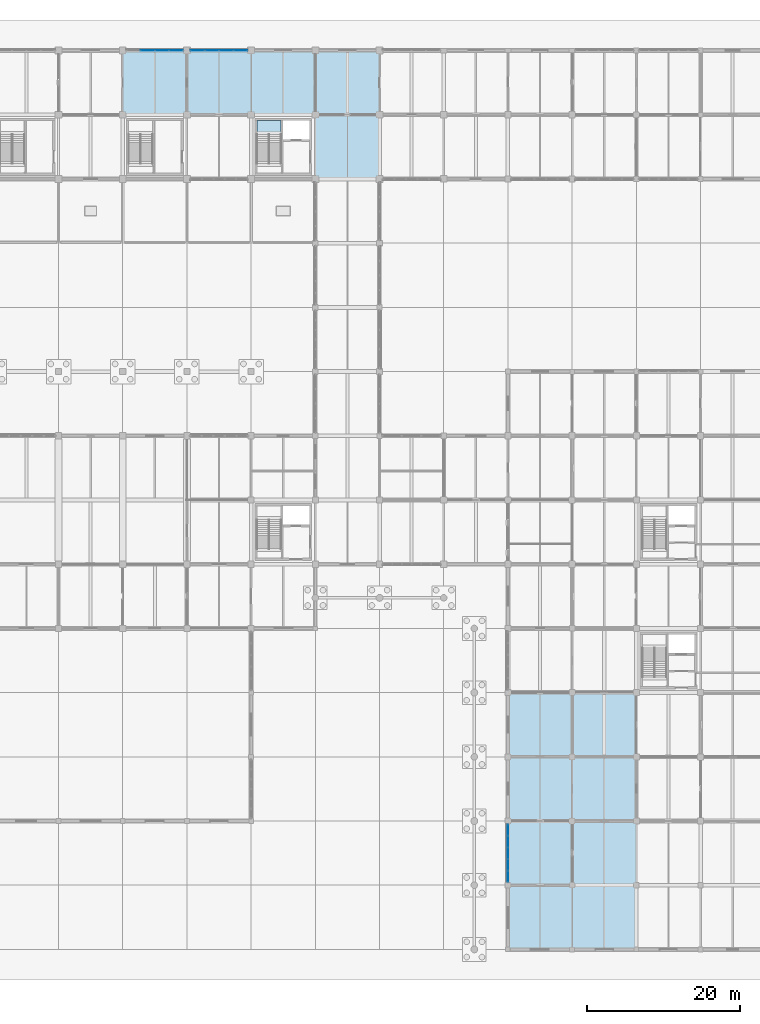
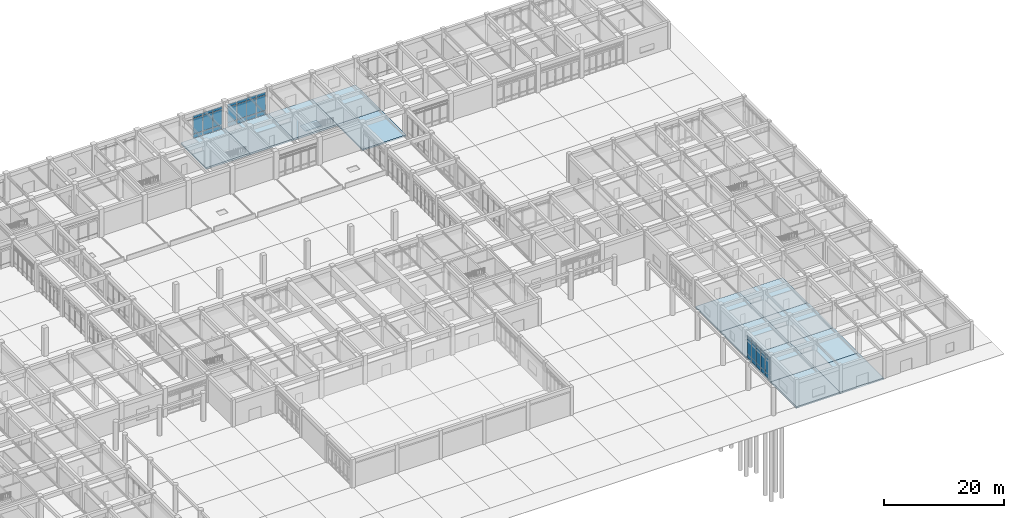
# One storey, part 59 of 91: 36 plates, 14 slabs, 4 elements without a shape of their own.
"""IFC4 building model written with IfcOpenShell, lengths in metres."""

from ifc_helpers import new_model, si_unit, direction, frame, origin, origin_2d, place, context, subcontext, project, spatial, polyline, rectangle, outline, extrude, material, layer, layer_set, type_object, element, aggregate, save


model = new_model("IFC4")

# Units and contexts
model_context = context("Model", 3, precision=1e-05, world=origin(), true_north=direction((0.0, 1.0)))
body_context = subcontext(model_context, "Body", "Model", "MODEL_VIEW")
ifc_project = project(units=[si_unit("LENGTHUNIT", "METRE"), si_unit("AREAUNIT", "SQUARE_METRE"), si_unit("VOLUMEUNIT", "CUBIC_METRE"), si_unit("PLANEANGLEUNIT", "RADIAN"), si_unit("MASSUNIT", "GRAM", prefix="KILO")], contexts=[model_context])

# Site, building, storey
site_placement = place(None, origin())
site = spatial("IfcSite", under=ifc_project, at=site_placement, CompositionType="ELEMENT")
building_placement = place(site_placement, origin())
building = spatial("IfcBuilding", under=site, at=building_placement, Name="Porcellanite Civic Hall", CompositionType="ELEMENT")
storey_placement = place(building_placement, origin())
storey = spatial("IfcBuildingStorey", under=building, at=storey_placement, Name="L00", CompositionType="ELEMENT", Elevation=0.0)

# Curtain wall, plates
ifc_material_1 = material(Name="Anodised aluminium and solar laminated glass", Category="aluminium")
ifc_layer_1 = layer(ifc_material_1, 0.179931640625)
ifc_layer_set_1 = layer_set([ifc_layer_1], Name="Anodised aluminium and solar laminated glass")
curtain_wall_type_1 = type_object("IfcCurtainWallType", Name="CW-SYS04", PredefinedType="NOTDEFINED", material=ifc_layer_set_1)
curtain_wall_1_placement = place(storey_placement, origin())
curtain_wall_1 = element("IfcCurtainWall", 1, at=curtain_wall_1_placement, inside=storey, type_object=curtain_wall_type_1, Name="Curtain wall CW-031", PredefinedType="NOTDEFINED")
ifc_material_2 = material(Name="Cyclone laminated solar-control low-E glass", Category="glass")
ifc_layer_2 = layer(ifc_material_2, 0.02587890625)
ifc_layer_set_2 = layer_set([ifc_layer_2], Name="Cyclone laminated solar-control low-E glass")
plate_type_1 = type_object("IfcPlateType", Name="CWP-02", PredefinedType="CURTAIN_PANEL", material=ifc_layer_set_2)
plate_1_placement = place(storey_placement, frame((95.662841796875, 117.60009765625, 0.05517578125), z_axis=(0.0, 0.0, 1.0), x_axis=(1.0, 0.0, 0.0)))
plate_1 = element("IfcPlate", 2, at=plate_1_placement, type_object=plate_type_1, Name="CW-031 panel 2.1", PredefinedType="CURTAIN_PANEL", context=body_context, shape_type="SweptSolid", body=[
    extrude(rectangle(XDim=1.799560546875, YDim=0.02587890625, at=origin_2d()), origin(), (0.0, 0.0, 1.0), 0.8173828125),
])
plate_2_placement = place(storey_placement, frame((95.662841796875, 117.60009765625, 0.927734375), z_axis=(0.0, 0.0, 1.0), x_axis=(1.0, 0.0, 0.0)))
plate_2 = element("IfcPlate", 3, at=plate_2_placement, type_object=plate_type_1, Name="CW-031 panel 2.2", PredefinedType="CURTAIN_PANEL", context=body_context, shape_type="SweptSolid", body=[
    extrude(rectangle(XDim=1.799560546875, YDim=0.02587890625, at=origin_2d()), origin(), (0.0, 0.0, 1.0), 3.094970703125),
])
plate_3_placement = place(storey_placement, frame((95.662841796875, 117.60009765625, 4.07763671875), z_axis=(0.0, 0.0, 1.0), x_axis=(1.0, 0.0, 0.0)))
plate_3 = element("IfcPlate", 4, at=plate_3_placement, type_object=plate_type_1, Name="CW-031 panel 2.3", PredefinedType="CURTAIN_PANEL", context=body_context, shape_type="SweptSolid", body=[
    extrude(rectangle(XDim=1.799560546875, YDim=0.02587890625, at=origin_2d()), origin(), (0.0, 0.0, 1.0), 0.5673828125),
])
plate_4_placement = place(storey_placement, frame((97.537353515625, 117.60009765625, 0.05517578125), z_axis=(0.0, 0.0, 1.0), x_axis=(1.0, 0.0, 0.0)))
plate_4 = element("IfcPlate", 5, at=plate_4_placement, type_object=plate_type_1, Name="CW-031 panel 3.1", PredefinedType="CURTAIN_PANEL", context=body_context, shape_type="SweptSolid", body=[
    extrude(rectangle(XDim=1.799560546875, YDim=0.02587890625, at=origin_2d()), origin(), (0.0, 0.0, 1.0), 0.8173828125),
])
plate_5_placement = place(storey_placement, frame((97.537353515625, 117.60009765625, 0.927734375), z_axis=(0.0, 0.0, 1.0), x_axis=(1.0, 0.0, 0.0)))
plate_5 = element("IfcPlate", 6, at=plate_5_placement, type_object=plate_type_1, Name="CW-031 panel 3.2", PredefinedType="CURTAIN_PANEL", context=body_context, shape_type="SweptSolid", body=[
    extrude(rectangle(XDim=1.799560546875, YDim=0.02587890625, at=origin_2d()), origin(), (0.0, 0.0, 1.0), 3.094970703125),
])
plate_6_placement = place(storey_placement, frame((97.537353515625, 117.60009765625, 4.07763671875), z_axis=(0.0, 0.0, 1.0), x_axis=(1.0, 0.0, 0.0)))
plate_6 = element("IfcPlate", 7, at=plate_6_placement, type_object=plate_type_1, Name="CW-031 panel 3.3", PredefinedType="CURTAIN_PANEL", context=body_context, shape_type="SweptSolid", body=[
    extrude(rectangle(XDim=1.799560546875, YDim=0.02587890625, at=origin_2d()), origin(), (0.0, 0.0, 1.0), 0.5673828125),
])
plate_7_placement = place(storey_placement, frame((99.39306640625, 117.60009765625, 0.05517578125), z_axis=(0.0, 0.0, 1.0), x_axis=(1.0, 0.0, 0.0)))
plate_7 = element("IfcPlate", 8, at=plate_7_placement, type_object=plate_type_1, Name="CW-031 panel 4.1", PredefinedType="CURTAIN_PANEL", context=body_context, shape_type="SweptSolid", body=[
    extrude(rectangle(XDim=1.761962890625, YDim=0.02587890625, at=origin_2d()), origin(), (0.0, 0.0, 1.0), 0.8173828125),
])
plate_8_placement = place(storey_placement, frame((99.39306640625, 117.60009765625, 0.927734375), z_axis=(0.0, 0.0, 1.0), x_axis=(1.0, 0.0, 0.0)))
plate_8 = element("IfcPlate", 9, at=plate_8_placement, type_object=plate_type_1, Name="CW-031 panel 4.2", PredefinedType="CURTAIN_PANEL", context=body_context, shape_type="SweptSolid", body=[
    extrude(rectangle(XDim=1.761962890625, YDim=0.02587890625, at=origin_2d()), origin(), (0.0, 0.0, 1.0), 3.094970703125),
])
plate_9_placement = place(storey_placement, frame((99.39306640625, 117.60009765625, 4.07763671875), z_axis=(0.0, 0.0, 1.0), x_axis=(1.0, 0.0, 0.0)))
plate_9 = element("IfcPlate", 10, at=plate_9_placement, type_object=plate_type_1, Name="CW-031 panel 4.3", PredefinedType="CURTAIN_PANEL", context=body_context, shape_type="SweptSolid", body=[
    extrude(rectangle(XDim=1.761962890625, YDim=0.02587890625, at=origin_2d()), origin(), (0.0, 0.0, 1.0), 0.5673828125),
])
aggregate(curtain_wall_1, [plate_1, plate_2, plate_3, plate_4, plate_5, plate_6, plate_7, plate_8, plate_9])

ifc_material_3 = material(Name="Anodised aluminium and solar laminated glass", Category="aluminium")
ifc_layer_3 = layer(ifc_material_3, 0.179931640625)
ifc_layer_set_3 = layer_set([ifc_layer_3], Name="Anodised aluminium and solar laminated glass")
curtain_wall_type_2 = type_object("IfcCurtainWallType", Name="CW-SYS02", PredefinedType="NOTDEFINED", material=ifc_layer_set_3)
curtain_wall_2_placement = place(storey_placement, origin())
curtain_wall_2 = element("IfcCurtainWall", 11, at=curtain_wall_2_placement, inside=storey, type_object=curtain_wall_type_2, Name="Curtain wall CW-049", PredefinedType="NOTDEFINED")
plate_10_placement = place(storey_placement, frame((142.800048828125, 9.55712890625, 0.06494140625), z_axis=(0.0, 0.0, 1.0), x_axis=(0.0, 1.0, 0.0)))
plate_10 = element("IfcPlate", 12, at=plate_10_placement, type_object=plate_type_1, Name="CW-049 panel 1.1", PredefinedType="CURTAIN_PANEL", context=body_context, shape_type="SweptSolid", body=[
    extrude(rectangle(XDim=1.412109375, YDim=0.02587890625, at=origin_2d()), origin(), (0.0, 0.0, 1.0), 0.802490234375),
])
plate_11_placement = place(storey_placement, frame((142.800048828125, 9.55712890625, 0.9326171875), z_axis=(0.0, 0.0, 1.0), x_axis=(0.0, 1.0, 0.0)))
plate_11 = element("IfcPlate", 13, at=plate_11_placement, type_object=plate_type_1, Name="CW-049 panel 1.2", PredefinedType="CURTAIN_PANEL", context=body_context, shape_type="SweptSolid", body=[
    extrude(rectangle(XDim=1.412109375, YDim=0.02587890625, at=origin_2d()), origin(), (0.0, 0.0, 1.0), 3.0849609375),
])
plate_12_placement = place(storey_placement, frame((142.800048828125, 9.55712890625, 4.08251953125), z_axis=(0.0, 0.0, 1.0), x_axis=(0.0, 1.0, 0.0)))
plate_12 = element("IfcPlate", 14, at=plate_12_placement, type_object=plate_type_1, Name="CW-049 panel 1.3", PredefinedType="CURTAIN_PANEL", context=body_context, shape_type="SweptSolid", body=[
    extrude(rectangle(XDim=1.412109375, YDim=0.02587890625, at=origin_2d()), origin(), (0.0, 0.0, 1.0), 0.552490234375),
])
plate_13_placement = place(storey_placement, frame((142.800048828125, 11.06298828125, 0.06494140625), z_axis=(0.0, 0.0, 1.0), x_axis=(0.0, 1.0, 0.0)))
plate_13 = element("IfcPlate", 15, at=plate_13_placement, type_object=plate_type_1, Name="CW-049 panel 2.1", PredefinedType="CURTAIN_PANEL", context=body_context, shape_type="SweptSolid", body=[
    extrude(rectangle(XDim=1.44970703125, YDim=0.02587890625, at=origin_2d()), origin(), (0.0, 0.0, 1.0), 0.802490234375),
])
plate_14_placement = place(storey_placement, frame((142.800048828125, 11.06298828125, 0.9326171875), z_axis=(0.0, 0.0, 1.0), x_axis=(0.0, 1.0, 0.0)))
plate_14 = element("IfcPlate", 16, at=plate_14_placement, type_object=plate_type_1, Name="CW-049 panel 2.2", PredefinedType="CURTAIN_PANEL", context=body_context, shape_type="SweptSolid", body=[
    extrude(rectangle(XDim=1.44970703125, YDim=0.02587890625, at=origin_2d()), origin(), (0.0, 0.0, 1.0), 3.0849609375),
])
plate_15_placement = place(storey_placement, frame((142.800048828125, 11.06298828125, 4.08251953125), z_axis=(0.0, 0.0, 1.0), x_axis=(0.0, 1.0, 0.0)))
plate_15 = element("IfcPlate", 17, at=plate_15_placement, type_object=plate_type_1, Name="CW-049 panel 2.3", PredefinedType="CURTAIN_PANEL", context=body_context, shape_type="SweptSolid", body=[
    extrude(rectangle(XDim=1.44970703125, YDim=0.02587890625, at=origin_2d()), origin(), (0.0, 0.0, 1.0), 0.552490234375),
])
plate_16_placement = place(storey_placement, frame((142.800048828125, 12.58740234375, 0.06494140625), z_axis=(0.0, 0.0, 1.0), x_axis=(0.0, 1.0, 0.0)))
plate_16 = element("IfcPlate", 18, at=plate_16_placement, type_object=plate_type_1, Name="CW-049 panel 3.1", PredefinedType="CURTAIN_PANEL", context=body_context, shape_type="SweptSolid", body=[
    extrude(rectangle(XDim=1.44970703125, YDim=0.02587890625, at=origin_2d()), origin(), (0.0, 0.0, 1.0), 0.802490234375),
])
plate_17_placement = place(storey_placement, frame((142.800048828125, 12.58740234375, 0.9326171875), z_axis=(0.0, 0.0, 1.0), x_axis=(0.0, 1.0, 0.0)))
plate_17 = element("IfcPlate", 19, at=plate_17_placement, type_object=plate_type_1, Name="CW-049 panel 3.2", PredefinedType="CURTAIN_PANEL", context=body_context, shape_type="SweptSolid", body=[
    extrude(rectangle(XDim=1.44970703125, YDim=0.02587890625, at=origin_2d()), origin(), (0.0, 0.0, 1.0), 3.0849609375),
])
plate_18_placement = place(storey_placement, frame((142.800048828125, 12.58740234375, 4.08251953125), z_axis=(0.0, 0.0, 1.0), x_axis=(0.0, 1.0, 0.0)))
plate_18 = element("IfcPlate", 20, at=plate_18_placement, type_object=plate_type_1, Name="CW-049 panel 3.3", PredefinedType="CURTAIN_PANEL", context=body_context, shape_type="SweptSolid", body=[
    extrude(rectangle(XDim=1.44970703125, YDim=0.02587890625, at=origin_2d()), origin(), (0.0, 0.0, 1.0), 0.552490234375),
])
plate_19_placement = place(storey_placement, frame((142.800048828125, 14.112060546875, 0.06494140625), z_axis=(0.0, 0.0, 1.0), x_axis=(0.0, 1.0, 0.0)))
plate_19 = element("IfcPlate", 21, at=plate_19_placement, type_object=plate_type_1, Name="CW-049 panel 4.1", PredefinedType="CURTAIN_PANEL", context=body_context, shape_type="SweptSolid", body=[
    extrude(rectangle(XDim=1.44970703125, YDim=0.02587890625, at=origin_2d()), origin(), (0.0, 0.0, 1.0), 0.802490234375),
])
plate_20_placement = place(storey_placement, frame((142.800048828125, 14.112060546875, 0.9326171875), z_axis=(0.0, 0.0, 1.0), x_axis=(0.0, 1.0, 0.0)))
plate_20 = element("IfcPlate", 22, at=plate_20_placement, type_object=plate_type_1, Name="CW-049 panel 4.2", PredefinedType="CURTAIN_PANEL", context=body_context, shape_type="SweptSolid", body=[
    extrude(rectangle(XDim=1.44970703125, YDim=0.02587890625, at=origin_2d()), origin(), (0.0, 0.0, 1.0), 3.0849609375),
])
plate_21_placement = place(storey_placement, frame((142.800048828125, 14.112060546875, 4.08251953125), z_axis=(0.0, 0.0, 1.0), x_axis=(0.0, 1.0, 0.0)))
plate_21 = element("IfcPlate", 23, at=plate_21_placement, type_object=plate_type_1, Name="CW-049 panel 4.3", PredefinedType="CURTAIN_PANEL", context=body_context, shape_type="SweptSolid", body=[
    extrude(rectangle(XDim=1.44970703125, YDim=0.02587890625, at=origin_2d()), origin(), (0.0, 0.0, 1.0), 0.552490234375),
])
plate_22_placement = place(storey_placement, frame((142.800048828125, 15.617919921875, 0.06494140625), z_axis=(0.0, 0.0, 1.0), x_axis=(0.0, 1.0, 0.0)))
plate_22 = element("IfcPlate", 24, at=plate_22_placement, type_object=plate_type_1, Name="CW-049 panel 5.1", PredefinedType="CURTAIN_PANEL", context=body_context, shape_type="SweptSolid", body=[
    extrude(rectangle(XDim=1.412109375, YDim=0.02587890625, at=origin_2d()), origin(), (0.0, 0.0, 1.0), 0.802490234375),
])
plate_23_placement = place(storey_placement, frame((142.800048828125, 15.617919921875, 0.9326171875), z_axis=(0.0, 0.0, 1.0), x_axis=(0.0, 1.0, 0.0)))
plate_23 = element("IfcPlate", 25, at=plate_23_placement, type_object=plate_type_1, Name="CW-049 panel 5.2", PredefinedType="CURTAIN_PANEL", context=body_context, shape_type="SweptSolid", body=[
    extrude(rectangle(XDim=1.412109375, YDim=0.02587890625, at=origin_2d()), origin(), (0.0, 0.0, 1.0), 3.0849609375),
])
plate_24_placement = place(storey_placement, frame((142.800048828125, 15.617919921875, 4.08251953125), z_axis=(0.0, 0.0, 1.0), x_axis=(0.0, 1.0, 0.0)))
plate_24 = element("IfcPlate", 26, at=plate_24_placement, type_object=plate_type_1, Name="CW-049 panel 5.3", PredefinedType="CURTAIN_PANEL", context=body_context, shape_type="SweptSolid", body=[
    extrude(rectangle(XDim=1.412109375, YDim=0.02587890625, at=origin_2d()), origin(), (0.0, 0.0, 1.0), 0.552490234375),
])
aggregate(curtain_wall_2, [plate_10, plate_11, plate_12, plate_13, plate_14, plate_15, plate_16, plate_17, plate_18, plate_19, plate_20, plate_21, plate_22, plate_23, plate_24])

ifc_material_4 = material(Name="Anodised aluminium and solar laminated glass", Category="aluminium")
ifc_layer_4 = layer(ifc_material_4, 0.179931640625)
ifc_layer_set_4 = layer_set([ifc_layer_4], Name="Anodised aluminium and solar laminated glass")
curtain_wall_type_3 = type_object("IfcCurtainWallType", Name="CW-SYS03", PredefinedType="NOTDEFINED", material=ifc_layer_set_4)
curtain_wall_3_placement = place(storey_placement, origin())
curtain_wall_3 = element("IfcCurtainWall", 27, at=curtain_wall_3_placement, inside=storey, type_object=curtain_wall_type_3, Name="Curtain wall CW-036", PredefinedType="NOTDEFINED")
ifc_material_5 = material(Name="Cyclone laminated solar-control low-E glass", Category="glass")
ifc_layer_5 = layer(ifc_material_5, 0.035888671875)
ifc_layer_set_5 = layer_set([ifc_layer_5], Name="Cyclone laminated solar-control low-E glass")
plate_type_2 = type_object("IfcPlateType", Name="CWP-07", PredefinedType="CURTAIN_PANEL", material=ifc_layer_set_5)
plate_25_placement = place(storey_placement, frame((102.208251953125, 117.60009765625, 0.05517578125), z_axis=(0.0, 0.0, 1.0), x_axis=(1.0, 0.0, 0.0)))
plate_25 = element("IfcPlate", 28, at=plate_25_placement, type_object=plate_type_2, Name="CW-036 panel 1.1", PredefinedType="CURTAIN_PANEL", context=body_context, shape_type="SweptSolid", body=[
    extrude(rectangle(XDim=1.75439453125, YDim=0.035888671875, at=origin_2d()), origin(), (0.0, 0.0, 1.0), 0.8173828125),
])
plate_26_placement = place(storey_placement, frame((102.208251953125, 117.60009765625, 0.927734375), z_axis=(0.0, 0.0, 1.0), x_axis=(1.0, 0.0, 0.0)))
plate_26 = element("IfcPlate", 29, at=plate_26_placement, type_object=plate_type_2, Name="CW-036 panel 1.2", PredefinedType="CURTAIN_PANEL", context=body_context, shape_type="SweptSolid", body=[
    extrude(rectangle(XDim=1.75439453125, YDim=0.035888671875, at=origin_2d()), origin(), (0.0, 0.0, 1.0), 3.094970703125),
])
plate_27_placement = place(storey_placement, frame((102.208251953125, 117.60009765625, 4.07763671875), z_axis=(0.0, 0.0, 1.0), x_axis=(1.0, 0.0, 0.0)))
plate_27 = element("IfcPlate", 30, at=plate_27_placement, type_object=plate_type_2, Name="CW-036 panel 1.3", PredefinedType="CURTAIN_PANEL", context=body_context, shape_type="SweptSolid", body=[
    extrude(rectangle(XDim=1.75439453125, YDim=0.035888671875, at=origin_2d()), origin(), (0.0, 0.0, 1.0), 0.5673828125),
])
plate_28_placement = place(storey_placement, frame((104.062744140625, 117.60009765625, 0.05517578125), z_axis=(0.0, 0.0, 1.0), x_axis=(1.0, 0.0, 0.0)))
plate_28 = element("IfcPlate", 31, at=plate_28_placement, type_object=plate_type_2, Name="CW-036 panel 2.1", PredefinedType="CURTAIN_PANEL", context=body_context, shape_type="SweptSolid", body=[
    extrude(rectangle(XDim=1.79443359375, YDim=0.035888671875, at=origin_2d()), origin(), (0.0, 0.0, 1.0), 0.8173828125),
])
plate_29_placement = place(storey_placement, frame((104.062744140625, 117.60009765625, 0.927734375), z_axis=(0.0, 0.0, 1.0), x_axis=(1.0, 0.0, 0.0)))
plate_29 = element("IfcPlate", 32, at=plate_29_placement, type_object=plate_type_2, Name="CW-036 panel 2.2", PredefinedType="CURTAIN_PANEL", context=body_context, shape_type="SweptSolid", body=[
    extrude(rectangle(XDim=1.79443359375, YDim=0.035888671875, at=origin_2d()), origin(), (0.0, 0.0, 1.0), 3.094970703125),
])
plate_30_placement = place(storey_placement, frame((104.062744140625, 117.60009765625, 4.07763671875), z_axis=(0.0, 0.0, 1.0), x_axis=(1.0, 0.0, 0.0)))
plate_30 = element("IfcPlate", 33, at=plate_30_placement, type_object=plate_type_2, Name="CW-036 panel 2.3", PredefinedType="CURTAIN_PANEL", context=body_context, shape_type="SweptSolid", body=[
    extrude(rectangle(XDim=1.79443359375, YDim=0.035888671875, at=origin_2d()), origin(), (0.0, 0.0, 1.0), 0.5673828125),
])
plate_31_placement = place(storey_placement, frame((105.937255859375, 117.60009765625, 0.05517578125), z_axis=(0.0, 0.0, 1.0), x_axis=(1.0, 0.0, 0.0)))
plate_31 = element("IfcPlate", 34, at=plate_31_placement, type_object=plate_type_2, Name="CW-036 panel 3.1", PredefinedType="CURTAIN_PANEL", context=body_context, shape_type="SweptSolid", body=[
    extrude(rectangle(XDim=1.79443359375, YDim=0.035888671875, at=origin_2d()), origin(), (0.0, 0.0, 1.0), 0.8173828125),
])
plate_32_placement = place(storey_placement, frame((105.937255859375, 117.60009765625, 0.927734375), z_axis=(0.0, 0.0, 1.0), x_axis=(1.0, 0.0, 0.0)))
plate_32 = element("IfcPlate", 35, at=plate_32_placement, type_object=plate_type_2, Name="CW-036 panel 3.2", PredefinedType="CURTAIN_PANEL", context=body_context, shape_type="SweptSolid", body=[
    extrude(rectangle(XDim=1.79443359375, YDim=0.035888671875, at=origin_2d()), origin(), (0.0, 0.0, 1.0), 3.094970703125),
])
plate_33_placement = place(storey_placement, frame((105.937255859375, 117.60009765625, 4.07763671875), z_axis=(0.0, 0.0, 1.0), x_axis=(1.0, 0.0, 0.0)))
plate_33 = element("IfcPlate", 36, at=plate_33_placement, type_object=plate_type_2, Name="CW-036 panel 3.3", PredefinedType="CURTAIN_PANEL", context=body_context, shape_type="SweptSolid", body=[
    extrude(rectangle(XDim=1.79443359375, YDim=0.035888671875, at=origin_2d()), origin(), (0.0, 0.0, 1.0), 0.5673828125),
])
plate_34_placement = place(storey_placement, frame((107.791748046875, 117.60009765625, 0.05517578125), z_axis=(0.0, 0.0, 1.0), x_axis=(1.0, 0.0, 0.0)))
plate_34 = element("IfcPlate", 37, at=plate_34_placement, type_object=plate_type_2, Name="CW-036 panel 4.1", PredefinedType="CURTAIN_PANEL", context=body_context, shape_type="SweptSolid", body=[
    extrude(rectangle(XDim=1.75439453125, YDim=0.035888671875, at=origin_2d()), origin(), (0.0, 0.0, 1.0), 0.8173828125),
])
plate_35_placement = place(storey_placement, frame((107.791748046875, 117.60009765625, 0.927734375), z_axis=(0.0, 0.0, 1.0), x_axis=(1.0, 0.0, 0.0)))
plate_35 = element("IfcPlate", 38, at=plate_35_placement, type_object=plate_type_2, Name="CW-036 panel 4.2", PredefinedType="CURTAIN_PANEL", context=body_context, shape_type="SweptSolid", body=[
    extrude(rectangle(XDim=1.75439453125, YDim=0.035888671875, at=origin_2d()), origin(), (0.0, 0.0, 1.0), 3.094970703125),
])
plate_36_placement = place(storey_placement, frame((107.791748046875, 117.60009765625, 4.07763671875), z_axis=(0.0, 0.0, 1.0), x_axis=(1.0, 0.0, 0.0)))
plate_36 = element("IfcPlate", 39, at=plate_36_placement, type_object=plate_type_2, Name="CW-036 panel 4.3", PredefinedType="CURTAIN_PANEL", context=body_context, shape_type="SweptSolid", body=[
    extrude(rectangle(XDim=1.75439453125, YDim=0.035888671875, at=origin_2d()), origin(), (0.0, 0.0, 1.0), 0.5673828125),
])
aggregate(curtain_wall_3, [plate_25, plate_26, plate_27, plate_28, plate_29, plate_30, plate_31, plate_32, plate_33, plate_34, plate_35, plate_36])

# Stair, slab
ifc_material_6 = material(Name="Concrete N40 (40 MPa)", Category="concrete")
stair_type = type_object("IfcStairType", Name="STR-HT32", PredefinedType="HALF_TURN_STAIR", material=ifc_material_6)
stair_placement = place(storey_placement, origin())
stair = element("IfcStair", 40, at=stair_placement, inside=storey, type_object=stair_type, Name="Fire stair ST-04 L00", PredefinedType="HALF_TURN_STAIR")
ifc_material_7 = material(Name="Concrete N40 (40 MPa)", Category="concrete")
ifc_layer_6 = layer(ifc_material_7, 0.179931640625)
ifc_layer_set_6 = layer_set([ifc_layer_6], Name="Concrete N40 (40 MPa)")
slab_type_1 = type_object("IfcSlabType", Name="LND-18", PredefinedType="LANDING", material=ifc_layer_set_6)
slab_1_placement = place(storey_placement, frame((0.0, 0.0, 2.699951171875)))
slab_1 = element("IfcSlab", 41, at=slab_1_placement, type_object=slab_type_1, Name="ST-04 landing 1", PredefinedType="LANDING", context=body_context, shape_type="SweptSolid", body=[
    extrude(outline(polyline([(109.98046875, 106.625), (113.119384765625, 106.625), (113.119384765625, 108.41943359375), (109.98046875, 108.41943359375), (109.98046875, 106.625)])), origin(), (0.0, 0.0, 1.0), 0.179931640625),
])
aggregate(stair, [slab_1])

# Slabs
ifc_material_8 = material(Name="Concrete N40 (40 MPa)", Category="concrete")
ifc_layer_7 = layer(ifc_material_8, 0.35009765625)
ifc_layer_set_7 = layer_set([ifc_layer_7], Name="Concrete N40 (40 MPa)")
slab_type_2 = type_object("IfcSlabType", Name="SL-BASE350", PredefinedType="BASESLAB", material=ifc_layer_set_7)
slab_2_placement = place(storey_placement, frame((0.0, 0.0, -0.35009765625)))
element("IfcSlab", 42, at=slab_2_placement, inside=storey, type_object=slab_type_2, Name="Slab L00 bay 12-14", PredefinedType="BASESLAB", context=body_context, shape_type="SweptSolid", body=[
    extrude(outline(polyline([(92.39990234375, 109.199951171875), (100.800048828125, 109.199951171875), (100.800048828125, 117.60009765625), (92.39990234375, 117.60009765625), (92.39990234375, 109.199951171875)])), origin(), (0.0, 0.0, 1.0), 0.35009765625),
])
slab_3_placement = place(storey_placement, frame((0.0, 0.0, -0.35009765625)))
element("IfcSlab", 43, at=slab_3_placement, inside=storey, type_object=slab_type_2, Name="Slab L00 bay 13-14", PredefinedType="BASESLAB", context=body_context, shape_type="SweptSolid", body=[
    extrude(outline(polyline([(100.800048828125, 109.199951171875), (109.199951171875, 109.199951171875), (109.199951171875, 117.60009765625), (100.800048828125, 117.60009765625), (100.800048828125, 109.199951171875)])), origin(), (0.0, 0.0, 1.0), 0.35009765625),
])
slab_4_placement = place(storey_placement, frame((0.0, 0.0, -0.35009765625)))
element("IfcSlab", 44, at=slab_4_placement, inside=storey, type_object=slab_type_2, Name="Slab L00 bay 14-14", PredefinedType="BASESLAB", context=body_context, shape_type="SweptSolid", body=[
    extrude(outline(polyline([(109.199951171875, 109.199951171875), (117.60009765625, 109.199951171875), (117.60009765625, 117.60009765625), (109.199951171875, 117.60009765625), (109.199951171875, 109.199951171875)])), origin(), (0.0, 0.0, 1.0), 0.35009765625),
])
slab_5_placement = place(storey_placement, frame((0.0, 0.0, -0.35009765625)))
element("IfcSlab", 45, at=slab_5_placement, inside=storey, type_object=slab_type_2, Name="Slab L00 bay 15-14", PredefinedType="BASESLAB", context=body_context, shape_type="SweptSolid", body=[
    extrude(outline(polyline([(117.60009765625, 109.199951171875), (126.0, 109.199951171875), (126.0, 117.60009765625), (117.60009765625, 117.60009765625), (117.60009765625, 109.199951171875)])), origin(), (0.0, 0.0, 1.0), 0.35009765625),
])
slab_6_placement = place(storey_placement, frame((0.0, 0.0, -0.35009765625)))
element("IfcSlab", 46, at=slab_6_placement, inside=storey, type_object=slab_type_2, Name="Slab L00 bay 18-1", PredefinedType="BASESLAB", context=body_context, shape_type="SweptSolid", body=[
    extrude(outline(polyline([(142.800048828125, 0.0), (151.199951171875, 0.0), (151.199951171875, 8.39990234375), (142.800048828125, 8.39990234375), (142.800048828125, 0.0)])), origin(), (0.0, 0.0, 1.0), 0.35009765625),
])
slab_7_placement = place(storey_placement, frame((0.0, 0.0, -0.35009765625)))
element("IfcSlab", 47, at=slab_7_placement, inside=storey, type_object=slab_type_2, Name="Slab L00 bay 18-2", PredefinedType="BASESLAB", context=body_context, shape_type="SweptSolid", body=[
    extrude(outline(polyline([(142.800048828125, 8.39990234375), (151.199951171875, 8.39990234375), (151.199951171875, 16.800048828125), (142.800048828125, 16.800048828125), (142.800048828125, 8.39990234375)])), origin(), (0.0, 0.0, 1.0), 0.35009765625),
])
slab_8_placement = place(storey_placement, frame((0.0, 0.0, -0.35009765625)))
element("IfcSlab", 48, at=slab_8_placement, inside=storey, type_object=slab_type_2, Name="Slab L00 bay 19-1", PredefinedType="BASESLAB", context=body_context, shape_type="SweptSolid", body=[
    extrude(outline(polyline([(151.199951171875, 0.0), (159.60009765625, 0.0), (159.60009765625, 8.39990234375), (151.199951171875, 8.39990234375), (151.199951171875, 0.0)])), origin(), (0.0, 0.0, 1.0), 0.35009765625),
])
slab_9_placement = place(storey_placement, frame((0.0, 0.0, -0.35009765625)))
element("IfcSlab", 49, at=slab_9_placement, inside=storey, type_object=slab_type_2, Name="Slab L00 bay 19-2", PredefinedType="BASESLAB", context=body_context, shape_type="SweptSolid", body=[
    extrude(outline(polyline([(151.199951171875, 8.39990234375), (159.60009765625, 8.39990234375), (159.60009765625, 16.800048828125), (151.199951171875, 16.800048828125), (151.199951171875, 8.39990234375)])), origin(), (0.0, 0.0, 1.0), 0.35009765625),
])
ifc_material_9 = material(Name="Concrete N40 (40 MPa)", Category="concrete")
ifc_layer_8 = layer(ifc_material_9, 0.300048828125)
ifc_layer_set_8 = layer_set([ifc_layer_8], Name="Concrete N40 (40 MPa)")
slab_type_3 = type_object("IfcSlabType", Name="SL-TR300", PredefinedType="FLOOR", material=ifc_layer_set_8)
slab_10_placement = place(storey_placement, frame((0.0, 0.0, -0.300048828125)))
element("IfcSlab", 50, at=slab_10_placement, inside=storey, type_object=slab_type_3, Name="Slab L00 bay 15-13", PredefinedType="FLOOR", context=body_context, shape_type="SweptSolid", body=[
    extrude(outline(polyline([(117.60009765625, 100.800048828125), (126.0, 100.800048828125), (126.0, 109.199951171875), (117.60009765625, 109.199951171875), (117.60009765625, 100.800048828125)])), origin(), (0.0, 0.0, 1.0), 0.300048828125),
])
slab_11_placement = place(storey_placement, frame((0.0, 0.0, -0.300048828125)))
element("IfcSlab", 51, at=slab_11_placement, inside=storey, type_object=slab_type_3, Name="Slab L00 bay 18-3", PredefinedType="FLOOR", context=body_context, shape_type="SweptSolid", body=[
    extrude(outline(polyline([(142.800048828125, 16.800048828125), (151.199951171875, 16.800048828125), (151.199951171875, 25.199951171875), (142.800048828125, 25.199951171875), (142.800048828125, 16.800048828125)])), origin(), (0.0, 0.0, 1.0), 0.300048828125),
])
slab_12_placement = place(storey_placement, frame((0.0, 0.0, -0.300048828125)))
element("IfcSlab", 52, at=slab_12_placement, inside=storey, type_object=slab_type_3, Name="Slab L00 bay 18-4", PredefinedType="FLOOR", context=body_context, shape_type="SweptSolid", body=[
    extrude(outline(polyline([(142.800048828125, 25.199951171875), (151.199951171875, 25.199951171875), (151.199951171875, 33.60009765625), (142.800048828125, 33.60009765625), (142.800048828125, 25.199951171875)])), origin(), (0.0, 0.0, 1.0), 0.300048828125),
])
slab_13_placement = place(storey_placement, frame((0.0, 0.0, -0.300048828125)))
element("IfcSlab", 53, at=slab_13_placement, inside=storey, type_object=slab_type_3, Name="Slab L00 bay 19-3", PredefinedType="FLOOR", context=body_context, shape_type="SweptSolid", body=[
    extrude(outline(polyline([(151.199951171875, 16.800048828125), (159.60009765625, 16.800048828125), (159.60009765625, 25.199951171875), (151.199951171875, 25.199951171875), (151.199951171875, 16.800048828125)])), origin(), (0.0, 0.0, 1.0), 0.300048828125),
])
slab_14_placement = place(storey_placement, frame((0.0, 0.0, -0.300048828125)))
element("IfcSlab", 54, at=slab_14_placement, inside=storey, type_object=slab_type_3, Name="Slab L00 bay 19-4", PredefinedType="FLOOR", context=body_context, shape_type="SweptSolid", body=[
    extrude(outline(polyline([(151.199951171875, 25.199951171875), (159.60009765625, 25.199951171875), (159.60009765625, 33.60009765625), (151.199951171875, 33.60009765625), (151.199951171875, 25.199951171875)])), origin(), (0.0, 0.0, 1.0), 0.300048828125),
])

save(model, "model.ifc")
